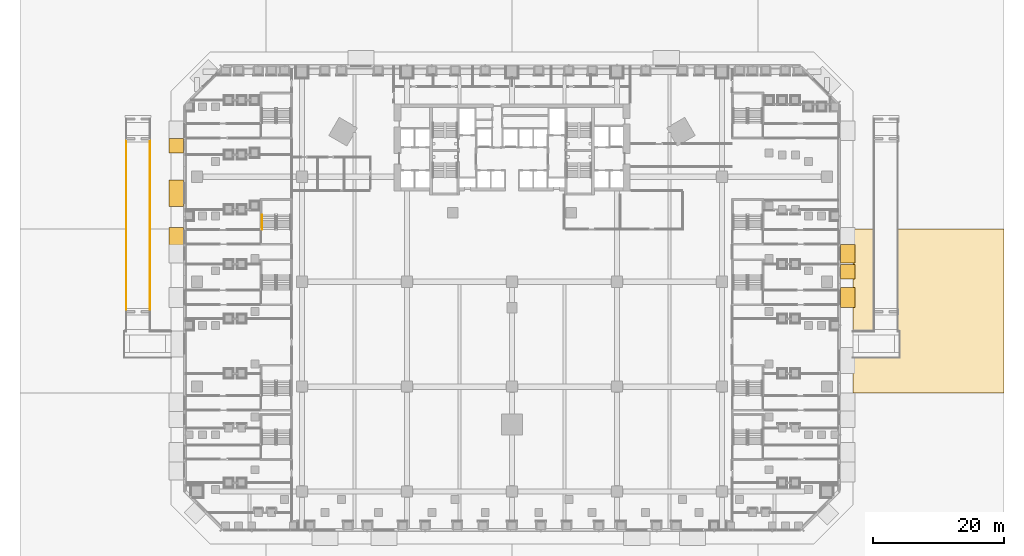
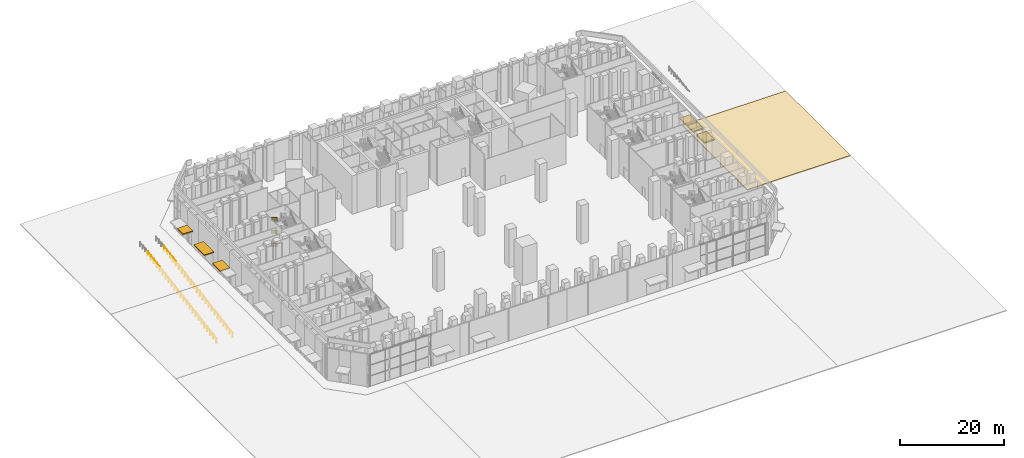
# One storey, part 42 of 51: 6 shading devices, 5 railings, 1 covering.
"""IFC4 building model written with IfcOpenShell, lengths in metres."""

from ifc_helpers import new_model, si_unit, direction, frame, origin, origin_2d, place, context, subcontext, project, spatial, polyline, rectangle, circle, outline, extrude, material, layer, layer_set, type_object, element, save


model = new_model("IFC4")

# Units and contexts
model_context = context("Model", 3, precision=1e-05, world=origin(), true_north=direction((0.0, 1.0)))
body_context = subcontext(model_context, "Body", "Model", "MODEL_VIEW")
ifc_project = project(units=[si_unit("LENGTHUNIT", "METRE"), si_unit("AREAUNIT", "SQUARE_METRE"), si_unit("VOLUMEUNIT", "CUBIC_METRE"), si_unit("PLANEANGLEUNIT", "RADIAN"), si_unit("MASSUNIT", "GRAM", prefix="KILO")], contexts=[model_context])

# Site, building, storey
site_placement = place(None, origin())
site = spatial("IfcSite", under=ifc_project, at=site_placement, CompositionType="ELEMENT")
building_placement = place(site_placement, origin())
building = spatial("IfcBuilding", under=site, at=building_placement, Name="Calabash Gate Tower", CompositionType="ELEMENT")
storey_placement = place(building_placement, origin())
storey = spatial("IfcBuildingStorey", under=building, at=storey_placement, Name="L00", CompositionType="ELEMENT", Elevation=0.0)

# Shading devices
ifc_material_1 = material(Name="Steel framed canopy with laminated glass", Category="steel")
ifc_layer_1 = layer(ifc_material_1, 0.25)
ifc_layer_set_1 = layer_set([ifc_layer_1], Name="Entrance canopy 250")
shading_device_type = type_object("IfcShadingDeviceType", Name="Entrance canopy 250", PredefinedType="AWNING", material=ifc_layer_set_1)
shading_device_1_placement = place(storey_placement, frame((51.14990234375, -10.39990234375, 3.60009765625), z_axis=(0.0, 0.0, 1.0), x_axis=(0.0, 1.0, 0.0)))
element("IfcShadingDevice", 1, at=shading_device_1_placement, inside=storey, type_object=shading_device_type, Name="Entrance canopy 11", PredefinedType="AWNING", context=body_context, shape_type="SweptSolid", body=[
    extrude(rectangle(XDim=3.0, YDim=2.199951171875, at=origin_2d()), origin(), (0.0, 0.0, 1.0), 0.25),
])
shading_device_2_placement = place(storey_placement, frame((51.14990234375, -6.49609375, 3.60009765625), z_axis=(0.0, 0.0, 1.0), x_axis=(0.0, 1.0, 0.0)))
element("IfcShadingDevice", 2, at=shading_device_2_placement, inside=storey, type_object=shading_device_type, Name="Entrance canopy 12", PredefinedType="AWNING", context=body_context, shape_type="SweptSolid", body=[
    extrude(rectangle(XDim=2.199951171875, YDim=2.199951171875, at=origin_2d()), origin(), (0.0, 0.0, 1.0), 0.25),
])
shading_device_3_placement = place(storey_placement, frame((51.14990234375, -3.74609375, 3.60009765625), z_axis=(0.0, 0.0, 1.0), x_axis=(0.0, 1.0, 0.0)))
element("IfcShadingDevice", 3, at=shading_device_3_placement, inside=storey, type_object=shading_device_type, Name="Entrance canopy 13", PredefinedType="AWNING", context=body_context, shape_type="SweptSolid", body=[
    extrude(rectangle(XDim=2.800048828125, YDim=2.199951171875, at=origin_2d()), origin(), (0.0, 0.0, 1.0), 0.25),
])
shading_device_4_placement = place(storey_placement, frame((-51.14990234375, 12.74609375, 3.60009765625), z_axis=(0.0, 0.0, 1.0), x_axis=(0.0, -1.0, 0.0)))
element("IfcShadingDevice", 4, at=shading_device_4_placement, inside=storey, type_object=shading_device_type, Name="Entrance canopy 21", PredefinedType="AWNING", context=body_context, shape_type="SweptSolid", body=[
    extrude(rectangle(XDim=2.199951171875, YDim=2.199951171875, at=origin_2d()), origin(), (0.0, 0.0, 1.0), 0.25),
])
shading_device_5_placement = place(storey_placement, frame((-51.14990234375, 5.49609375, 3.60009765625), z_axis=(0.0, 0.0, 1.0), x_axis=(0.0, -1.0, 0.0)))
element("IfcShadingDevice", 5, at=shading_device_5_placement, inside=storey, type_object=shading_device_type, Name="Entrance canopy 22", PredefinedType="AWNING", context=body_context, shape_type="SweptSolid", body=[
    extrude(rectangle(XDim=4.0, YDim=2.199951171875, at=origin_2d()), origin(), (0.0, 0.0, 1.0), 0.25),
])
shading_device_6_placement = place(storey_placement, frame((-51.14990234375, -1.199951171875, 3.60009765625), z_axis=(0.0, 0.0, 1.0), x_axis=(0.0, -1.0, 0.0)))
element("IfcShadingDevice", 6, at=shading_device_6_placement, inside=storey, type_object=shading_device_type, Name="Entrance canopy 23", PredefinedType="AWNING", context=body_context, shape_type="SweptSolid", body=[
    extrude(rectangle(XDim=3.0, YDim=2.199951171875, at=origin_2d()), origin(), (0.0, 0.0, 1.0), 0.25),
])

# Covering
ifc_material_2 = material(Name="Granite paving on compacted gravel", Category="masonry")
ifc_layer_2 = layer(ifc_material_2, 0.199951171875)
ifc_layer_set_2 = layer_set([ifc_layer_2], Name="Granite paving slab 200")
covering_type = type_object("IfcCoveringType", Name="Granite paving slab 200", PredefinedType="FLOORING", material=ifc_layer_set_2)
covering_placement = place(storey_placement, frame((0.0, 0.0, -0.199951171875)))
element("IfcCovering", 7, at=covering_placement, inside=storey, type_object=covering_type, Name="Plaza paving 9", PredefinedType="FLOORING", context=body_context, shape_type="SweptSolid", body=[
    extrude(outline(polyline([(52.0, -25.0), (75.0, -25.0), (75.0, 0.0), (52.0, 0.0), (52.0, -25.0)])), origin(), (0.0, 0.0, 1.0), 0.199951171875),
])

# Railings
ifc_material_3 = material(Name="Galvanised steel balusters", Category="steel")
railing_type_1 = type_object("IfcRailingType", Name="Ramp guard RG1100", PredefinedType="GUARDRAIL", material=ifc_material_3)
railing_1_placement = place(storey_placement, frame((-58.800048828125, -12.60009765625, -4.699951171875)))
element("IfcRailing", 8, at=railing_1_placement, inside=storey, type_object=railing_type_1, Name="Exit Ramp guard", PredefinedType="GUARDRAIL", context=body_context, shape_type="SweptSolid", body=[
    extrude(circle(Radius=0.02392578125, at=origin_2d()), frame((0.0, 0.0, 1.076171875), z_axis=(0.0, 0.986394663434, 0.164394549632), x_axis=(-1.0, 0.0, 0.0)), (0.0, 0.0, 1.0), 26.764404296875),
    extrude(circle(Radius=0.02099609375, at=origin_2d()), origin(), (0.0, 0.0, 1.0), 1.052001953125),
    extrude(circle(Radius=0.02099609375, at=origin_2d()), frame((0.0, 1.14794921875, 0.19140625)), (0.0, 0.0, 1.0), 1.052001953125),
    extrude(circle(Radius=0.02099609375, at=origin_2d()), frame((0.0, 2.295654296875, 0.382568359375)), (0.0, 0.0, 1.0), 1.052001953125),
    extrude(circle(Radius=0.02099609375, at=origin_2d()), frame((0.0, 3.443603515625, 0.573974609375)), (0.0, 0.0, 1.0), 1.052001953125),
    extrude(circle(Radius=0.02099609375, at=origin_2d()), frame((0.0, 4.59130859375, 0.76513671875)), (0.0, 0.0, 1.0), 1.052001953125),
    extrude(circle(Radius=0.02099609375, at=origin_2d()), frame((0.0, 5.7392578125, 0.95654296875)), (0.0, 0.0, 1.0), 1.052001953125),
    extrude(circle(Radius=0.02099609375, at=origin_2d()), frame((0.0, 6.886962890625, 1.147705078125)), (0.0, 0.0, 1.0), 1.052001953125),
    extrude(circle(Radius=0.02099609375, at=origin_2d()), frame((0.0, 8.034912109375, 1.339111328125)), (0.0, 0.0, 1.0), 1.052001953125),
    extrude(circle(Radius=0.02099609375, at=origin_2d()), frame((0.0, 9.1826171875, 1.530517578125)), (0.0, 0.0, 1.0), 1.052001953125),
    extrude(circle(Radius=0.02099609375, at=origin_2d()), frame((0.0, 10.33056640625, 1.7216796875)), (0.0, 0.0, 1.0), 1.052001953125),
    extrude(circle(Radius=0.02099609375, at=origin_2d()), frame((0.0, 11.478271484375, 1.9130859375)), (0.0, 0.0, 1.0), 1.052001953125),
    extrude(circle(Radius=0.02099609375, at=origin_2d()), frame((0.0, 12.626220703125, 2.104248046875)), (0.0, 0.0, 1.0), 1.052001953125),
    extrude(circle(Radius=0.02099609375, at=origin_2d()), frame((0.0, 13.77392578125, 2.295654296875)), (0.0, 0.0, 1.0), 1.052001953125),
    extrude(circle(Radius=0.02099609375, at=origin_2d()), frame((0.0, 14.921875, 2.48681640625)), (0.0, 0.0, 1.0), 1.052001953125),
    extrude(circle(Radius=0.02099609375, at=origin_2d()), frame((0.0, 16.069580078125, 2.67822265625)), (0.0, 0.0, 1.0), 1.052001953125),
    extrude(circle(Radius=0.02099609375, at=origin_2d()), frame((0.0, 17.217529296875, 2.869384765625)), (0.0, 0.0, 1.0), 1.052001953125),
    extrude(circle(Radius=0.02099609375, at=origin_2d()), frame((0.0, 18.365234375, 3.060791015625)), (0.0, 0.0, 1.0), 1.052001953125),
    extrude(circle(Radius=0.02099609375, at=origin_2d()), frame((0.0, 19.51318359375, 3.252197265625)), (0.0, 0.0, 1.0), 1.052001953125),
    extrude(circle(Radius=0.02099609375, at=origin_2d()), frame((0.0, 20.660888671875, 3.443359375)), (0.0, 0.0, 1.0), 1.052001953125),
    extrude(circle(Radius=0.02099609375, at=origin_2d()), frame((0.0, 21.808837890625, 3.634765625)), (0.0, 0.0, 1.0), 1.052001953125),
    extrude(circle(Radius=0.02099609375, at=origin_2d()), frame((0.0, 22.95654296875, 3.825927734375)), (0.0, 0.0, 1.0), 1.052001953125),
    extrude(circle(Radius=0.02099609375, at=origin_2d()), frame((0.0, 24.1044921875, 4.017333984375)), (0.0, 0.0, 1.0), 1.052001953125),
    extrude(circle(Radius=0.02099609375, at=origin_2d()), frame((0.0, 25.252197265625, 4.20849609375)), (0.0, 0.0, 1.0), 1.052001953125),
    extrude(circle(Radius=0.02099609375, at=origin_2d()), frame((0.0, 26.400146484375, 4.39990234375)), (0.0, 0.0, 1.0), 1.052001953125),
])
railing_2_placement = place(storey_placement, frame((-55.199951171875, -12.60009765625, -4.699951171875)))
element("IfcRailing", 9, at=railing_2_placement, inside=storey, type_object=railing_type_1, Name="Exit Ramp guard", PredefinedType="GUARDRAIL", context=body_context, shape_type="SweptSolid", body=[
    extrude(circle(Radius=0.02392578125, at=origin_2d()), frame((0.0, 0.0, 1.076171875), z_axis=(0.0, 0.986394663434, 0.164394549632), x_axis=(-1.0, 0.0, 0.0)), (0.0, 0.0, 1.0), 26.764404296875),
    extrude(circle(Radius=0.02099609375, at=origin_2d()), origin(), (0.0, 0.0, 1.0), 1.052001953125),
    extrude(circle(Radius=0.02099609375, at=origin_2d()), frame((0.0, 1.14794921875, 0.19140625)), (0.0, 0.0, 1.0), 1.052001953125),
    extrude(circle(Radius=0.02099609375, at=origin_2d()), frame((0.0, 2.295654296875, 0.382568359375)), (0.0, 0.0, 1.0), 1.052001953125),
    extrude(circle(Radius=0.02099609375, at=origin_2d()), frame((0.0, 3.443603515625, 0.573974609375)), (0.0, 0.0, 1.0), 1.052001953125),
    extrude(circle(Radius=0.02099609375, at=origin_2d()), frame((0.0, 4.59130859375, 0.76513671875)), (0.0, 0.0, 1.0), 1.052001953125),
    extrude(circle(Radius=0.02099609375, at=origin_2d()), frame((0.0, 5.7392578125, 0.95654296875)), (0.0, 0.0, 1.0), 1.052001953125),
    extrude(circle(Radius=0.02099609375, at=origin_2d()), frame((0.0, 6.886962890625, 1.147705078125)), (0.0, 0.0, 1.0), 1.052001953125),
    extrude(circle(Radius=0.02099609375, at=origin_2d()), frame((0.0, 8.034912109375, 1.339111328125)), (0.0, 0.0, 1.0), 1.052001953125),
    extrude(circle(Radius=0.02099609375, at=origin_2d()), frame((0.0, 9.1826171875, 1.530517578125)), (0.0, 0.0, 1.0), 1.052001953125),
    extrude(circle(Radius=0.02099609375, at=origin_2d()), frame((0.0, 10.33056640625, 1.7216796875)), (0.0, 0.0, 1.0), 1.052001953125),
    extrude(circle(Radius=0.02099609375, at=origin_2d()), frame((0.0, 11.478271484375, 1.9130859375)), (0.0, 0.0, 1.0), 1.052001953125),
    extrude(circle(Radius=0.02099609375, at=origin_2d()), frame((0.0, 12.626220703125, 2.104248046875)), (0.0, 0.0, 1.0), 1.052001953125),
    extrude(circle(Radius=0.02099609375, at=origin_2d()), frame((0.0, 13.77392578125, 2.295654296875)), (0.0, 0.0, 1.0), 1.052001953125),
    extrude(circle(Radius=0.02099609375, at=origin_2d()), frame((0.0, 14.921875, 2.48681640625)), (0.0, 0.0, 1.0), 1.052001953125),
    extrude(circle(Radius=0.02099609375, at=origin_2d()), frame((0.0, 16.069580078125, 2.67822265625)), (0.0, 0.0, 1.0), 1.052001953125),
    extrude(circle(Radius=0.02099609375, at=origin_2d()), frame((0.0, 17.217529296875, 2.869384765625)), (0.0, 0.0, 1.0), 1.052001953125),
    extrude(circle(Radius=0.02099609375, at=origin_2d()), frame((0.0, 18.365234375, 3.060791015625)), (0.0, 0.0, 1.0), 1.052001953125),
    extrude(circle(Radius=0.02099609375, at=origin_2d()), frame((0.0, 19.51318359375, 3.252197265625)), (0.0, 0.0, 1.0), 1.052001953125),
    extrude(circle(Radius=0.02099609375, at=origin_2d()), frame((0.0, 20.660888671875, 3.443359375)), (0.0, 0.0, 1.0), 1.052001953125),
    extrude(circle(Radius=0.02099609375, at=origin_2d()), frame((0.0, 21.808837890625, 3.634765625)), (0.0, 0.0, 1.0), 1.052001953125),
    extrude(circle(Radius=0.02099609375, at=origin_2d()), frame((0.0, 22.95654296875, 3.825927734375)), (0.0, 0.0, 1.0), 1.052001953125),
    extrude(circle(Radius=0.02099609375, at=origin_2d()), frame((0.0, 24.1044921875, 4.017333984375)), (0.0, 0.0, 1.0), 1.052001953125),
    extrude(circle(Radius=0.02099609375, at=origin_2d()), frame((0.0, 25.252197265625, 4.20849609375)), (0.0, 0.0, 1.0), 1.052001953125),
    extrude(circle(Radius=0.02099609375, at=origin_2d()), frame((0.0, 26.400146484375, 4.39990234375)), (0.0, 0.0, 1.0), 1.052001953125),
])
ifc_material_4 = material(Name="Black powder-coated steel tube 48 mm", Category="steel")
railing_type_2 = type_object("IfcRailingType", Name="Stair handrail RL900", PredefinedType="HANDRAIL", material=ifc_material_4)
for number, where, name in (
    (10, (-38.1201171875, 2.19189453125, 1.666748046875), "L00 PS4 stair handrail 2"),
    (11, (-38.1201171875, 2.19189453125, 4.666748046875), "L00 PS4 stair handrail 4"),
    (12, (-38.1201171875, 2.19189453125, 7.666748046875), "L00 PS4 stair handrail 6"),
):
    element("IfcRailing", number, at=place(storey_placement, frame(where)), inside=storey, type_object=railing_type_2, Name=name, PredefinedType="HANDRAIL", context=body_context, shape_type="SweptSolid", body=[
        extrude(circle(Radius=0.02392578125, at=origin_2d()), frame((0.0, 0.0, 0.8759765625), z_axis=(0.0, -0.858493888361, 0.512823793955), x_axis=(1.0, 0.0, 0.0)), (0.0, 0.0, 1.0), 2.599853515625),
        extrude(circle(Radius=0.02099609375, at=origin_2d()), origin(), (0.0, 0.0, 1.0), 0.851806640625),
        extrude(circle(Radius=0.02099609375, at=origin_2d()), frame((0.0, -0.743896484375, 0.4443359375)), (0.0, 0.0, 1.0), 0.851806640625),
        extrude(circle(Radius=0.02099609375, at=origin_2d()), frame((0.0, -1.488037109375, 0.888916015625)), (0.0, 0.0, 1.0), 0.851806640625),
        extrude(circle(Radius=0.02099609375, at=origin_2d()), frame((0.0, -2.23193359375, 1.333251953125)), (0.0, 0.0, 1.0), 0.851806640625),
    ])

save(model, "model.ifc")
